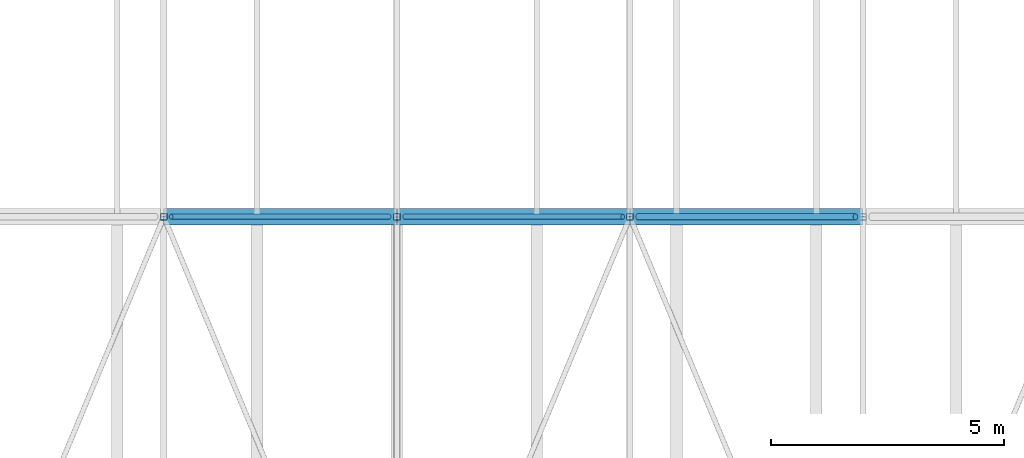
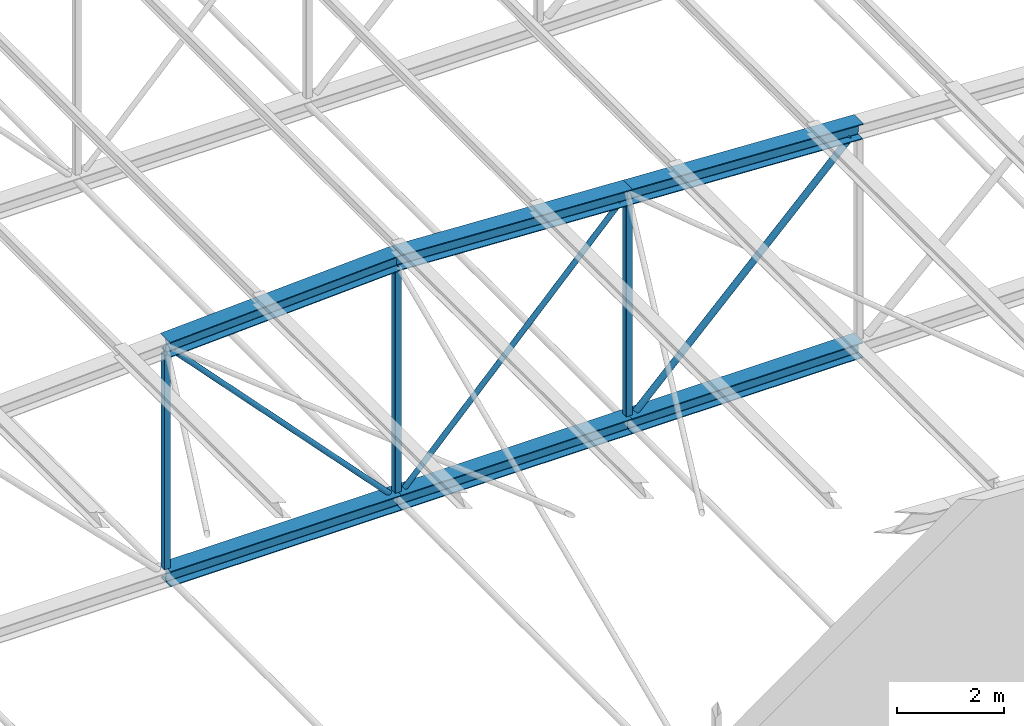
# One storey, part 18 of 156: 12 members.
"""IFC4 building model written with IfcOpenShell, lengths in metres."""

from ifc_helpers import new_model, si_unit, direction, frame, origin, origin_2d, place, context, subcontext, project, spatial, hollow_rectangle, hollow_circle, i_section, extrude, material, material_profile, profile_set, type_object, element, save


model = new_model("IFC4")

# Units and contexts
model_context = context("Model", 3, precision=1e-05, world=origin(), true_north=direction((0.0, 1.0)))
body_context = subcontext(model_context, "Body", "Model", "MODEL_VIEW")
ifc_project = project(units=[si_unit("LENGTHUNIT", "METRE"), si_unit("AREAUNIT", "SQUARE_METRE"), si_unit("VOLUMEUNIT", "CUBIC_METRE"), si_unit("PLANEANGLEUNIT", "RADIAN"), si_unit("MASSUNIT", "GRAM", prefix="KILO")], contexts=[model_context])

# Site, building, storey
site_placement = place(None, origin())
site = spatial("IfcSite", under=ifc_project, at=site_placement, CompositionType="ELEMENT")
building_placement = place(site_placement, origin())
building = spatial("IfcBuilding", under=site, at=building_placement, Name="Lilac Gate Convention Centre", CompositionType="ELEMENT")
storey_placement = place(building_placement, frame((0.0, 0.0, 17.0)))
storey = spatial("IfcBuildingStorey", under=building, at=storey_placement, Name="L03", CompositionType="ELEMENT", Elevation=17.0)

# Members
ifc_material = material(Name="Steel Q355B", Category="steel")
ifc_material_profile_1 = material_profile(ifc_material, i_section(OverallWidth=0.35693359375, OverallDepth=0.35009765625, WebThickness=0.01904296875, FlangeThickness=0.01904296875, FilletRadius=0.012939453125, at=origin_2d()), Name="HW350x357x19x19")
ifc_profile_set_1 = profile_set([ifc_material_profile_1], Name="Steel Q355B")
member_type_1 = type_object("IfcMemberType", Name="Truss bottom chord HW350x357x19x19", PredefinedType="CHORD", material=ifc_profile_set_1)
for number, where, z_axis, x_axis, name in (
    (1, (55.0, 42.0, 0.0), (1.0, 0.0, 0.0), (0.0, 1.0, 0.0), "TB3 truss 2 bottom chord 6"),
    (2, (60.0, 42.0, 0.0), (1.0, 0.0, 0.0), (0.0, 1.0, 0.0), "TB3 truss 2 bottom chord 7"),
    (3, (65.0, 42.0, 0.0), (1.0, 0.0, 0.0), (0.0, 1.0, 0.0), "TB3 truss 2 bottom chord 8"),
):
    element("IfcMember", number, at=place(storey_placement, frame(where, z_axis=z_axis, x_axis=x_axis)), inside=storey, type_object=member_type_1, Name=name, PredefinedType="CHORD", context=body_context, shape_type="SweptSolid", body=[
        extrude(i_section(OverallWidth=0.35693359375, OverallDepth=0.35009765625, WebThickness=0.01904296875, FlangeThickness=0.01904296875, FilletRadius=0.012939453125, at=origin_2d()), origin(), (0.0, 0.0, 1.0), 5.0),
    ])
ifc_material_profile_2 = material_profile(ifc_material, hollow_circle(Radius=0.05712890625, WallThickness=0.0048828125, at=origin_2d()), Name="CHS114.3x5")
ifc_profile_set_2 = profile_set([ifc_material_profile_2], Name="Steel Q355B")
member_type_2 = type_object("IfcMemberType", Name="Truss diagonal CHS114.3x5", PredefinedType="BRACE", material=ifc_profile_set_2)
for number, where, z_axis, x_axis, name in (
    (4, (55.156494140625, 42.0, 5.085693359375), (0.6896515765, 0.0, -0.724141355697), (0.0, 1.0, 0.0), "TW6 truss 2 diagonal 6"),
    (5, (64.843505859375, 42.0, 5.085693359375), (-0.6896515765, 0.0, -0.724141355697), (0.0, -1.0, 0.0), "TW6 truss 2 diagonal 7"),
):
    element("IfcMember", number, at=place(storey_placement, frame(where, z_axis=z_axis, x_axis=x_axis)), inside=storey, type_object=member_type_2, Name=name, PredefinedType="BRACE", context=body_context, shape_type="SweptSolid", body=[
        extrude(hollow_circle(Radius=0.05712890625, WallThickness=0.0048828125, at=origin_2d()), origin(), (0.0, 0.0, 1.0), 6.78125),
    ])
ifc_material_profile_3 = material_profile(ifc_material, hollow_circle(Radius=0.06982421875, WallThickness=0.006103515625, at=origin_2d()), Name="CHS139.7x6")
ifc_profile_set_3 = profile_set([ifc_material_profile_3], Name="Steel Q355B")
member_type_3 = type_object("IfcMemberType", Name="Truss diagonal CHS139.7x6", PredefinedType="BRACE", material=ifc_profile_set_3)
member_1_placement = place(storey_placement, frame((69.835693359375, 42.0, 4.835693359375), z_axis=(-0.707106781187, 0.0, -0.707106781187), x_axis=(0.0, -1.0, 0.0)))
element("IfcMember", 6, at=member_1_placement, inside=storey, type_object=member_type_3, Name="TW5 truss 2 diagonal 8", PredefinedType="BRACE", context=body_context, shape_type="SweptSolid", body=[
    extrude(hollow_circle(Radius=0.06982421875, WallThickness=0.006103515625, at=origin_2d()), origin(), (0.0, 0.0, 1.0), 6.591064453125),
])
ifc_material_profile_4 = material_profile(ifc_material, i_section(OverallWidth=0.35009765625, OverallDepth=0.35009765625, WebThickness=0.011962890625, FlangeThickness=0.01904296875, FilletRadius=0.012939453125, at=origin_2d()), Name="HW350x350x12x19")
ifc_profile_set_4 = profile_set([ifc_material_profile_4], Name="Steel Q355B")
member_type_4 = type_object("IfcMemberType", Name="Truss top chord HW350x350x12x19", PredefinedType="CHORD", material=ifc_profile_set_4)
member_2_placement = place(storey_placement, frame((65.0, 42.0, 5.25), z_axis=(0.998752338878, 0.0, -0.049937616944), x_axis=(0.0, 1.0, 0.0)))
element("IfcMember", 7, at=member_2_placement, inside=storey, type_object=member_type_4, Name="TT2 truss 2 top chord 8", PredefinedType="CHORD", context=body_context, shape_type="SweptSolid", body=[
    extrude(i_section(OverallWidth=0.35009765625, OverallDepth=0.35009765625, WebThickness=0.011962890625, FlangeThickness=0.01904296875, FilletRadius=0.012939453125, at=origin_2d()), origin(), (0.0, 0.0, 1.0), 5.00634765625),
])
ifc_material_profile_5 = material_profile(ifc_material, i_section(OverallWidth=0.35693359375, OverallDepth=0.35009765625, WebThickness=0.01904296875, FlangeThickness=0.01904296875, FilletRadius=0.012939453125, at=origin_2d()), Name="HW350x357x19x19")
ifc_profile_set_5 = profile_set([ifc_material_profile_5], Name="Steel Q355B")
member_type_5 = type_object("IfcMemberType", Name="Truss top chord HW350x357x19x19", PredefinedType="CHORD", material=ifc_profile_set_5)
for number, where, z_axis, x_axis, name in (
    (8, (55.0, 42.0, 5.25), (0.998752338878, 0.0, 0.049937616944), (0.0, 1.0, 0.0), "TT3 truss 2 top chord 6"),
    (9, (60.0, 42.0, 5.5), (0.998752338878, 0.0, -0.049937616944), (0.0, 1.0, 0.0), "TT3 truss 2 top chord 7"),
):
    element("IfcMember", number, at=place(storey_placement, frame(where, z_axis=z_axis, x_axis=x_axis)), inside=storey, type_object=member_type_5, Name=name, PredefinedType="CHORD", context=body_context, shape_type="SweptSolid", body=[
        extrude(i_section(OverallWidth=0.35693359375, OverallDepth=0.35009765625, WebThickness=0.01904296875, FlangeThickness=0.01904296875, FilletRadius=0.012939453125, at=origin_2d()), origin(), (0.0, 0.0, 1.0), 5.00634765625),
    ])
ifc_material_profile_6 = material_profile(ifc_material, hollow_rectangle(XDim=0.139892578125, YDim=0.139892578125, WallThickness=0.0048828125, InnerFilletRadius=0.0048828125, OuterFilletRadius=0.010009765625, at=origin_2d()), Name="SHS140x140x5")
ifc_profile_set_6 = profile_set([ifc_material_profile_6], Name="Steel Q355B")
member_type_6 = type_object("IfcMemberType", Name="Truss vertical SHS140x140x5", PredefinedType="STRUT", material=ifc_profile_set_6)
member_3_placement = place(storey_placement, frame((55.0, 42.0, 0.175048828125), z_axis=(0.0, 0.0, 1.0), x_axis=(1.0, 0.0, 0.0)))
element("IfcMember", 10, at=member_3_placement, inside=storey, type_object=member_type_6, Name="TV4 truss 2 vertical 6", PredefinedType="STRUT", context=body_context, shape_type="SweptSolid", body=[
    extrude(hollow_rectangle(XDim=0.139892578125, YDim=0.139892578125, WallThickness=0.0048828125, InnerFilletRadius=0.0048828125, OuterFilletRadius=0.010009765625, at=origin_2d()), origin(), (0.0, 0.0, 1.0), 4.899658203125),
])
member_4_placement = place(storey_placement, frame((60.0, 42.0, 0.175048828125), z_axis=(0.0, 0.0, 1.0), x_axis=(1.0, 0.0, 0.0)))
element("IfcMember", 11, at=member_4_placement, inside=storey, type_object=member_type_6, Name="TV4 truss 2 vertical 7", PredefinedType="STRUT", context=body_context, shape_type="SweptSolid", body=[
    extrude(hollow_rectangle(XDim=0.139892578125, YDim=0.139892578125, WallThickness=0.0048828125, InnerFilletRadius=0.0048828125, OuterFilletRadius=0.010009765625, at=origin_2d()), origin(), (0.0, 0.0, 1.0), 5.149658203125),
])
member_5_placement = place(storey_placement, frame((65.0, 42.0, 0.175048828125), z_axis=(0.0, 0.0, 1.0), x_axis=(1.0, 0.0, 0.0)))
element("IfcMember", 12, at=member_5_placement, inside=storey, type_object=member_type_6, Name="TV4 truss 2 vertical 8", PredefinedType="STRUT", context=body_context, shape_type="SweptSolid", body=[
    extrude(hollow_rectangle(XDim=0.139892578125, YDim=0.139892578125, WallThickness=0.0048828125, InnerFilletRadius=0.0048828125, OuterFilletRadius=0.010009765625, at=origin_2d()), origin(), (0.0, 0.0, 1.0), 4.899658203125),
])

save(model, "model.ifc")
